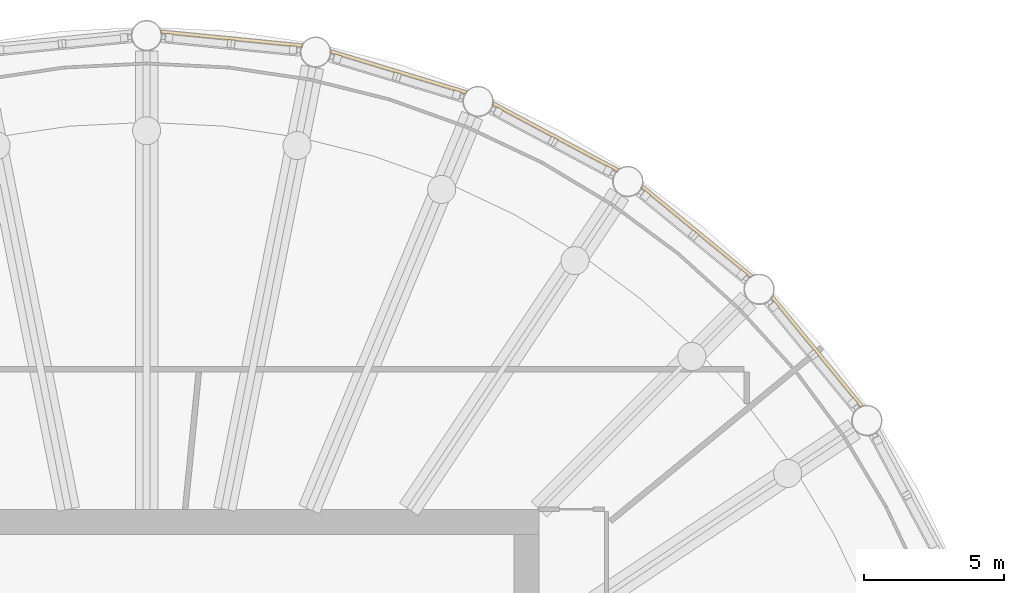
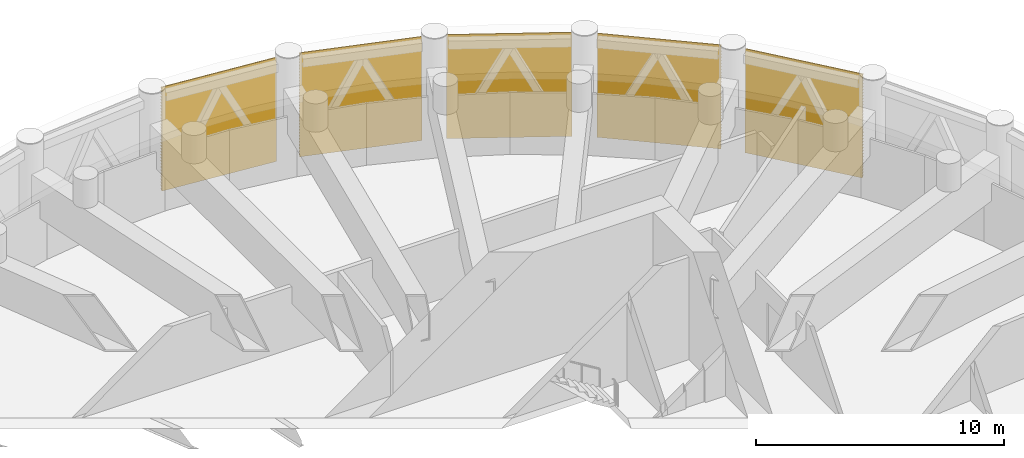
# One storey, part 23 of 23: 5 shading devices, 5 elements without a shape of their own.
"""IFC4 building model written with IfcOpenShell, lengths in metres."""

from ifc_helpers import new_model, si_unit, direction, frame, origin, place, context, subcontext, project, spatial, polyline, outline, extrude, material, material_profile, profile_set, type_object, element, aggregate, save


model = new_model("IFC4")

# Units and contexts
model_context = context("Model", 3, precision=1e-05, world=origin(), true_north=direction((0.0, 1.0)))
body_context = subcontext(model_context, "Body", "Model", "MODEL_VIEW")
ifc_project = project(units=[si_unit("LENGTHUNIT", "METRE"), si_unit("AREAUNIT", "SQUARE_METRE"), si_unit("VOLUMEUNIT", "CUBIC_METRE"), si_unit("PLANEANGLEUNIT", "RADIAN"), si_unit("MASSUNIT", "GRAM", prefix="KILO")], contexts=[model_context])

# Site, building, storey
site_placement = place(None, origin())
site = spatial("IfcSite", under=ifc_project, at=site_placement, CompositionType="ELEMENT")
building_placement = place(site_placement, origin())
building = spatial("IfcBuilding", under=site, at=building_placement, Name="Corvane Civic Tower", CompositionType="ELEMENT")
storey_placement = place(building_placement, frame((0.0, 0.0, 196.0)))
storey = spatial("IfcBuildingStorey", under=building, at=storey_placement, Name="L46", CompositionType="ELEMENT", Elevation=196.0)

# Curtain wall, shading device
ifc_material_1 = material(Name="Anodised aluminium bronze", Category="aluminium")
curtain_wall_type = type_object("IfcCurtainWallType", Name="TOWER CW-LV LOUVRE SCREEN WALL", PredefinedType="NOTDEFINED", material=ifc_material_1)
curtain_wall_1_placement = place(storey_placement, origin())
curtain_wall_1 = element("IfcCurtainWall", 1, at=curtain_wall_1_placement, inside=storey, type_object=curtain_wall_type, Name="Louvre screen wall CW-LV L46 bay 01", PredefinedType="NOTDEFINED")
ifc_material_2 = material(Name="Anodised aluminium bronze", Category="aluminium")
ifc_material_profile = material_profile(ifc_material_2, outline(polyline([(-0.06005859375, -2.56494140625), (-0.0400390625, -2.56494140625), (0.06005859375, -2.492919921875), (0.06005859375, -2.472900390625), (-0.0400390625, -2.544921875), (-0.0400390625, -2.4140625), (0.06005859375, -2.342041015625), (0.06005859375, -2.322021484375), (-0.0400390625, -2.39404296875), (-0.0400390625, -2.26318359375), (0.06005859375, -2.191162109375), (0.06005859375, -2.171142578125), (-0.0400390625, -2.2431640625), (-0.0400390625, -2.1123046875), (0.06005859375, -2.040283203125), (0.06005859375, -2.0205078125), (-0.0400390625, -2.09228515625), (-0.0400390625, -1.96142578125), (0.06005859375, -1.889404296875), (0.06005859375, -1.869384765625), (-0.0400390625, -1.94140625), (-0.0400390625, -1.810546875), (0.06005859375, -1.738525390625), (0.06005859375, -1.718505859375), (-0.0400390625, -1.79052734375), (-0.0400390625, -1.65966796875), (0.06005859375, -1.587646484375), (0.06005859375, -1.567626953125), (-0.0400390625, -1.6396484375), (-0.0400390625, -1.5087890625), (0.06005859375, -1.436767578125), (0.06005859375, -1.416748046875), (-0.0400390625, -1.48876953125), (-0.0400390625, -1.35791015625), (0.06005859375, -1.285888671875), (0.06005859375, -1.265869140625), (-0.0400390625, -1.337890625), (-0.0400390625, -1.20703125), (0.06005859375, -1.135009765625), (0.06005859375, -1.114990234375), (-0.0400390625, -1.18701171875), (-0.0400390625, -1.05615234375), (0.06005859375, -0.984130859375), (0.06005859375, -0.964111328125), (-0.0400390625, -1.0361328125), (-0.0400390625, -0.9052734375), (0.06005859375, -0.833251953125), (0.06005859375, -0.813232421875), (-0.0400390625, -0.88525390625), (-0.0400390625, -0.75439453125), (0.06005859375, -0.682373046875), (0.06005859375, -0.662353515625), (-0.0400390625, -0.734375), (-0.0400390625, -0.603515625), (0.06005859375, -0.531494140625), (0.06005859375, -0.511474609375), (-0.0400390625, -0.58349609375), (-0.0400390625, -0.45263671875), (0.06005859375, -0.380615234375), (0.06005859375, -0.360595703125), (-0.0400390625, -0.4326171875), (-0.0400390625, -0.3017578125), (0.06005859375, -0.229736328125), (0.06005859375, -0.209716796875), (-0.0400390625, -0.28173828125), (-0.0400390625, -0.15087890625), (0.06005859375, -0.078857421875), (0.06005859375, -0.058837890625), (-0.0400390625, -0.130859375), (-0.0400390625, 0.0), (0.06005859375, 0.072021484375), (0.06005859375, 0.092041015625), (-0.0400390625, 0.02001953125), (-0.0400390625, 0.15087890625), (0.06005859375, 0.222900390625), (0.06005859375, 0.242919921875), (-0.0400390625, 0.1708984375), (-0.0400390625, 0.3017578125), (0.06005859375, 0.373779296875), (0.06005859375, 0.393798828125), (-0.0400390625, 0.32177734375), (-0.0400390625, 0.45263671875), (0.06005859375, 0.524658203125), (0.06005859375, 0.544677734375), (-0.0400390625, 0.47265625), (-0.0400390625, 0.603515625), (0.06005859375, 0.675537109375), (0.06005859375, 0.695556640625), (-0.0400390625, 0.62353515625), (-0.0400390625, 0.75439453125), (0.06005859375, 0.826416015625), (0.06005859375, 0.846435546875), (-0.0400390625, 0.7744140625), (-0.0400390625, 0.9052734375), (0.06005859375, 0.977294921875), (0.06005859375, 0.997314453125), (-0.0400390625, 0.92529296875), (-0.0400390625, 1.05615234375), (0.06005859375, 1.128173828125), (0.06005859375, 1.148193359375), (-0.0400390625, 1.076171875), (-0.0400390625, 1.20703125), (0.06005859375, 1.279052734375), (0.06005859375, 1.299072265625), (-0.0400390625, 1.22705078125), (-0.0400390625, 1.35791015625), (0.06005859375, 1.429931640625), (0.06005859375, 1.449951171875), (-0.0400390625, 1.3779296875), (-0.0400390625, 1.5087890625), (0.06005859375, 1.580810546875), (0.06005859375, 1.600830078125), (-0.0400390625, 1.52880859375), (-0.0400390625, 1.65966796875), (0.06005859375, 1.731689453125), (0.06005859375, 1.751708984375), (-0.0400390625, 1.6796875), (-0.0400390625, 1.810546875), (0.06005859375, 1.882568359375), (0.06005859375, 1.902587890625), (-0.0400390625, 1.83056640625), (-0.0400390625, 1.96142578125), (0.06005859375, 2.033447265625), (0.06005859375, 2.053466796875), (-0.0400390625, 1.9814453125), (-0.0400390625, 2.1123046875), (0.06005859375, 2.184326171875), (0.06005859375, 2.204345703125), (-0.0400390625, 2.13232421875), (-0.0400390625, 2.26318359375), (0.06005859375, 2.335205078125), (0.06005859375, 2.355224609375), (-0.0400390625, 2.283203125), (-0.0400390625, 2.4140625), (0.06005859375, 2.486083984375), (0.06005859375, 2.506103515625), (-0.0400390625, 2.43408203125), (-0.0400390625, 2.56494140625), (-0.06005859375, 2.56494140625), (-0.06005859375, -2.56494140625)])), Name="TOWER LOUVRE BANK 5130 BRONZE")
ifc_profile_set = profile_set([ifc_material_profile], Name="Anodised aluminium bronze")
shading_device_type = type_object("IfcShadingDeviceType", Name="TOWER LOUVRE BANK 5130 BRONZE", PredefinedType="USERDEFINED", material=ifc_profile_set)
shading_device_1_placement = place(storey_placement, frame((0.505126953125, 31.0302734375, 2.68505859375), z_axis=(0.995187423416, -0.097989755963, 0.0), x_axis=(0.097989755963, 0.995187423416, 0.0)))
shading_device_1 = element("IfcShadingDevice", 2, at=shading_device_1_placement, type_object=shading_device_type, Name="Louvre bank L46 01.1", ObjectType="LOUVRE", PredefinedType="USERDEFINED", context=body_context, shape_type="SweptSolid", body=[
    extrude(outline(polyline([(-0.06005859375, -2.56494140625), (-0.0400390625, -2.56494140625), (0.06005859375, -2.492919921875), (0.06005859375, -2.472900390625), (-0.0400390625, -2.544921875), (-0.0400390625, -2.4140625), (0.06005859375, -2.342041015625), (0.06005859375, -2.322021484375), (-0.0400390625, -2.39404296875), (-0.0400390625, -2.26318359375), (0.06005859375, -2.191162109375), (0.06005859375, -2.171142578125), (-0.0400390625, -2.2431640625), (-0.0400390625, -2.1123046875), (0.06005859375, -2.040283203125), (0.06005859375, -2.0205078125), (-0.0400390625, -2.09228515625), (-0.0400390625, -1.96142578125), (0.06005859375, -1.889404296875), (0.06005859375, -1.869384765625), (-0.0400390625, -1.94140625), (-0.0400390625, -1.810546875), (0.06005859375, -1.738525390625), (0.06005859375, -1.718505859375), (-0.0400390625, -1.79052734375), (-0.0400390625, -1.65966796875), (0.06005859375, -1.587646484375), (0.06005859375, -1.567626953125), (-0.0400390625, -1.6396484375), (-0.0400390625, -1.5087890625), (0.06005859375, -1.436767578125), (0.06005859375, -1.416748046875), (-0.0400390625, -1.48876953125), (-0.0400390625, -1.35791015625), (0.06005859375, -1.285888671875), (0.06005859375, -1.265869140625), (-0.0400390625, -1.337890625), (-0.0400390625, -1.20703125), (0.06005859375, -1.135009765625), (0.06005859375, -1.114990234375), (-0.0400390625, -1.18701171875), (-0.0400390625, -1.05615234375), (0.06005859375, -0.984130859375), (0.06005859375, -0.964111328125), (-0.0400390625, -1.0361328125), (-0.0400390625, -0.9052734375), (0.06005859375, -0.833251953125), (0.06005859375, -0.813232421875), (-0.0400390625, -0.88525390625), (-0.0400390625, -0.75439453125), (0.06005859375, -0.682373046875), (0.06005859375, -0.662353515625), (-0.0400390625, -0.734375), (-0.0400390625, -0.603515625), (0.06005859375, -0.531494140625), (0.06005859375, -0.511474609375), (-0.0400390625, -0.58349609375), (-0.0400390625, -0.45263671875), (0.06005859375, -0.380615234375), (0.06005859375, -0.360595703125), (-0.0400390625, -0.4326171875), (-0.0400390625, -0.3017578125), (0.06005859375, -0.229736328125), (0.06005859375, -0.209716796875), (-0.0400390625, -0.28173828125), (-0.0400390625, -0.15087890625), (0.06005859375, -0.078857421875), (0.06005859375, -0.058837890625), (-0.0400390625, -0.130859375), (-0.0400390625, 0.0), (0.06005859375, 0.072021484375), (0.06005859375, 0.092041015625), (-0.0400390625, 0.02001953125), (-0.0400390625, 0.15087890625), (0.06005859375, 0.222900390625), (0.06005859375, 0.242919921875), (-0.0400390625, 0.1708984375), (-0.0400390625, 0.3017578125), (0.06005859375, 0.373779296875), (0.06005859375, 0.393798828125), (-0.0400390625, 0.32177734375), (-0.0400390625, 0.45263671875), (0.06005859375, 0.524658203125), (0.06005859375, 0.544677734375), (-0.0400390625, 0.47265625), (-0.0400390625, 0.603515625), (0.06005859375, 0.675537109375), (0.06005859375, 0.695556640625), (-0.0400390625, 0.62353515625), (-0.0400390625, 0.75439453125), (0.06005859375, 0.826416015625), (0.06005859375, 0.846435546875), (-0.0400390625, 0.7744140625), (-0.0400390625, 0.9052734375), (0.06005859375, 0.977294921875), (0.06005859375, 0.997314453125), (-0.0400390625, 0.92529296875), (-0.0400390625, 1.05615234375), (0.06005859375, 1.128173828125), (0.06005859375, 1.148193359375), (-0.0400390625, 1.076171875), (-0.0400390625, 1.20703125), (0.06005859375, 1.279052734375), (0.06005859375, 1.299072265625), (-0.0400390625, 1.22705078125), (-0.0400390625, 1.35791015625), (0.06005859375, 1.429931640625), (0.06005859375, 1.449951171875), (-0.0400390625, 1.3779296875), (-0.0400390625, 1.5087890625), (0.06005859375, 1.580810546875), (0.06005859375, 1.600830078125), (-0.0400390625, 1.52880859375), (-0.0400390625, 1.65966796875), (0.06005859375, 1.731689453125), (0.06005859375, 1.751708984375), (-0.0400390625, 1.6796875), (-0.0400390625, 1.810546875), (0.06005859375, 1.882568359375), (0.06005859375, 1.902587890625), (-0.0400390625, 1.83056640625), (-0.0400390625, 1.96142578125), (0.06005859375, 2.033447265625), (0.06005859375, 2.053466796875), (-0.0400390625, 1.9814453125), (-0.0400390625, 2.1123046875), (0.06005859375, 2.184326171875), (0.06005859375, 2.204345703125), (-0.0400390625, 2.13232421875), (-0.0400390625, 2.26318359375), (0.06005859375, 2.335205078125), (0.06005859375, 2.355224609375), (-0.0400390625, 2.283203125), (-0.0400390625, 2.4140625), (0.06005859375, 2.486083984375), (0.06005859375, 2.506103515625), (-0.0400390625, 2.43408203125), (-0.0400390625, 2.56494140625), (-0.06005859375, 2.56494140625), (-0.06005859375, -2.56494140625)])), origin(), (0.0, 0.0, 1.0), 5.07763671875),
])
aggregate(curtain_wall_1, [shading_device_1])

curtain_wall_2_placement = place(storey_placement, origin())
curtain_wall_2 = element("IfcCurtainWall", 3, at=curtain_wall_2_placement, inside=storey, type_object=curtain_wall_type, Name="Louvre screen wall CW-LV L46 bay 02", PredefinedType="NOTDEFINED")
shading_device_2_placement = place(storey_placement, frame((6.54931640625, 30.33544921875, 2.68505859375), z_axis=(0.956939031389, -0.290288977061, 0.0), x_axis=(0.290288977061, 0.956939031389, 0.0)))
shading_device_2 = element("IfcShadingDevice", 4, at=shading_device_2_placement, type_object=shading_device_type, Name="Louvre bank L46 02.1", ObjectType="LOUVRE", PredefinedType="USERDEFINED", context=body_context, shape_type="SweptSolid", body=[
    extrude(outline(polyline([(-0.06005859375, -2.56494140625), (-0.0400390625, -2.56494140625), (0.06005859375, -2.492919921875), (0.06005859375, -2.472900390625), (-0.0400390625, -2.544921875), (-0.0400390625, -2.4140625), (0.06005859375, -2.342041015625), (0.06005859375, -2.322021484375), (-0.0400390625, -2.39404296875), (-0.0400390625, -2.26318359375), (0.06005859375, -2.191162109375), (0.06005859375, -2.171142578125), (-0.0400390625, -2.2431640625), (-0.0400390625, -2.1123046875), (0.06005859375, -2.040283203125), (0.06005859375, -2.0205078125), (-0.0400390625, -2.09228515625), (-0.0400390625, -1.96142578125), (0.06005859375, -1.889404296875), (0.06005859375, -1.869384765625), (-0.0400390625, -1.94140625), (-0.0400390625, -1.810546875), (0.06005859375, -1.738525390625), (0.06005859375, -1.718505859375), (-0.0400390625, -1.79052734375), (-0.0400390625, -1.65966796875), (0.06005859375, -1.587646484375), (0.06005859375, -1.567626953125), (-0.0400390625, -1.6396484375), (-0.0400390625, -1.5087890625), (0.06005859375, -1.436767578125), (0.06005859375, -1.416748046875), (-0.0400390625, -1.48876953125), (-0.0400390625, -1.35791015625), (0.06005859375, -1.285888671875), (0.06005859375, -1.265869140625), (-0.0400390625, -1.337890625), (-0.0400390625, -1.20703125), (0.06005859375, -1.135009765625), (0.06005859375, -1.114990234375), (-0.0400390625, -1.18701171875), (-0.0400390625, -1.05615234375), (0.06005859375, -0.984130859375), (0.06005859375, -0.964111328125), (-0.0400390625, -1.0361328125), (-0.0400390625, -0.9052734375), (0.06005859375, -0.833251953125), (0.06005859375, -0.813232421875), (-0.0400390625, -0.88525390625), (-0.0400390625, -0.75439453125), (0.06005859375, -0.682373046875), (0.06005859375, -0.662353515625), (-0.0400390625, -0.734375), (-0.0400390625, -0.603515625), (0.06005859375, -0.531494140625), (0.06005859375, -0.511474609375), (-0.0400390625, -0.58349609375), (-0.0400390625, -0.45263671875), (0.06005859375, -0.380615234375), (0.06005859375, -0.360595703125), (-0.0400390625, -0.4326171875), (-0.0400390625, -0.3017578125), (0.06005859375, -0.229736328125), (0.06005859375, -0.209716796875), (-0.0400390625, -0.28173828125), (-0.0400390625, -0.15087890625), (0.06005859375, -0.078857421875), (0.06005859375, -0.058837890625), (-0.0400390625, -0.130859375), (-0.0400390625, 0.0), (0.06005859375, 0.072021484375), (0.06005859375, 0.092041015625), (-0.0400390625, 0.02001953125), (-0.0400390625, 0.15087890625), (0.06005859375, 0.222900390625), (0.06005859375, 0.242919921875), (-0.0400390625, 0.1708984375), (-0.0400390625, 0.3017578125), (0.06005859375, 0.373779296875), (0.06005859375, 0.393798828125), (-0.0400390625, 0.32177734375), (-0.0400390625, 0.45263671875), (0.06005859375, 0.524658203125), (0.06005859375, 0.544677734375), (-0.0400390625, 0.47265625), (-0.0400390625, 0.603515625), (0.06005859375, 0.675537109375), (0.06005859375, 0.695556640625), (-0.0400390625, 0.62353515625), (-0.0400390625, 0.75439453125), (0.06005859375, 0.826416015625), (0.06005859375, 0.846435546875), (-0.0400390625, 0.7744140625), (-0.0400390625, 0.9052734375), (0.06005859375, 0.977294921875), (0.06005859375, 0.997314453125), (-0.0400390625, 0.92529296875), (-0.0400390625, 1.05615234375), (0.06005859375, 1.128173828125), (0.06005859375, 1.148193359375), (-0.0400390625, 1.076171875), (-0.0400390625, 1.20703125), (0.06005859375, 1.279052734375), (0.06005859375, 1.299072265625), (-0.0400390625, 1.22705078125), (-0.0400390625, 1.35791015625), (0.06005859375, 1.429931640625), (0.06005859375, 1.449951171875), (-0.0400390625, 1.3779296875), (-0.0400390625, 1.5087890625), (0.06005859375, 1.580810546875), (0.06005859375, 1.600830078125), (-0.0400390625, 1.52880859375), (-0.0400390625, 1.65966796875), (0.06005859375, 1.731689453125), (0.06005859375, 1.751708984375), (-0.0400390625, 1.6796875), (-0.0400390625, 1.810546875), (0.06005859375, 1.882568359375), (0.06005859375, 1.902587890625), (-0.0400390625, 1.83056640625), (-0.0400390625, 1.96142578125), (0.06005859375, 2.033447265625), (0.06005859375, 2.053466796875), (-0.0400390625, 1.9814453125), (-0.0400390625, 2.1123046875), (0.06005859375, 2.184326171875), (0.06005859375, 2.204345703125), (-0.0400390625, 2.13232421875), (-0.0400390625, 2.26318359375), (0.06005859375, 2.335205078125), (0.06005859375, 2.355224609375), (-0.0400390625, 2.283203125), (-0.0400390625, 2.4140625), (0.06005859375, 2.486083984375), (0.06005859375, 2.506103515625), (-0.0400390625, 2.43408203125), (-0.0400390625, 2.56494140625), (-0.06005859375, 2.56494140625), (-0.06005859375, -2.56494140625)])), origin(), (0.0, 0.0, 1.0), 5.077392578125),
])
aggregate(curtain_wall_2, [shading_device_2])

curtain_wall_3_placement = place(storey_placement, origin())
curtain_wall_3 = element("IfcCurtainWall", 5, at=curtain_wall_3_placement, inside=storey, type_object=curtain_wall_type, Name="Louvre screen wall CW-LV L46 bay 03", PredefinedType="NOTDEFINED")
shading_device_3_placement = place(storey_placement, frame((12.341552734375, 28.474853515625, 2.68505859375), z_axis=(0.881921329426, -0.471396615074, 0.0), x_axis=(0.471396615074, 0.881921329426, 0.0)))
shading_device_3 = element("IfcShadingDevice", 6, at=shading_device_3_placement, type_object=shading_device_type, Name="Louvre bank L46 03.1", ObjectType="LOUVRE", PredefinedType="USERDEFINED", context=body_context, shape_type="SweptSolid", body=[
    extrude(outline(polyline([(-0.06005859375, -2.56494140625), (-0.0400390625, -2.56494140625), (0.06005859375, -2.492919921875), (0.06005859375, -2.472900390625), (-0.0400390625, -2.544921875), (-0.0400390625, -2.4140625), (0.06005859375, -2.342041015625), (0.06005859375, -2.322021484375), (-0.0400390625, -2.39404296875), (-0.0400390625, -2.26318359375), (0.06005859375, -2.191162109375), (0.06005859375, -2.171142578125), (-0.0400390625, -2.2431640625), (-0.0400390625, -2.1123046875), (0.06005859375, -2.040283203125), (0.06005859375, -2.0205078125), (-0.0400390625, -2.09228515625), (-0.0400390625, -1.96142578125), (0.06005859375, -1.889404296875), (0.06005859375, -1.869384765625), (-0.0400390625, -1.94140625), (-0.0400390625, -1.810546875), (0.06005859375, -1.738525390625), (0.06005859375, -1.718505859375), (-0.0400390625, -1.79052734375), (-0.0400390625, -1.65966796875), (0.06005859375, -1.587646484375), (0.06005859375, -1.567626953125), (-0.0400390625, -1.6396484375), (-0.0400390625, -1.5087890625), (0.06005859375, -1.436767578125), (0.06005859375, -1.416748046875), (-0.0400390625, -1.48876953125), (-0.0400390625, -1.35791015625), (0.06005859375, -1.285888671875), (0.06005859375, -1.265869140625), (-0.0400390625, -1.337890625), (-0.0400390625, -1.20703125), (0.06005859375, -1.135009765625), (0.06005859375, -1.114990234375), (-0.0400390625, -1.18701171875), (-0.0400390625, -1.05615234375), (0.06005859375, -0.984130859375), (0.06005859375, -0.964111328125), (-0.0400390625, -1.0361328125), (-0.0400390625, -0.9052734375), (0.06005859375, -0.833251953125), (0.06005859375, -0.813232421875), (-0.0400390625, -0.88525390625), (-0.0400390625, -0.75439453125), (0.06005859375, -0.682373046875), (0.06005859375, -0.662353515625), (-0.0400390625, -0.734375), (-0.0400390625, -0.603515625), (0.06005859375, -0.531494140625), (0.06005859375, -0.511474609375), (-0.0400390625, -0.58349609375), (-0.0400390625, -0.45263671875), (0.06005859375, -0.380615234375), (0.06005859375, -0.360595703125), (-0.0400390625, -0.4326171875), (-0.0400390625, -0.3017578125), (0.06005859375, -0.229736328125), (0.06005859375, -0.209716796875), (-0.0400390625, -0.28173828125), (-0.0400390625, -0.15087890625), (0.06005859375, -0.078857421875), (0.06005859375, -0.058837890625), (-0.0400390625, -0.130859375), (-0.0400390625, 0.0), (0.06005859375, 0.072021484375), (0.06005859375, 0.092041015625), (-0.0400390625, 0.02001953125), (-0.0400390625, 0.15087890625), (0.06005859375, 0.222900390625), (0.06005859375, 0.242919921875), (-0.0400390625, 0.1708984375), (-0.0400390625, 0.3017578125), (0.06005859375, 0.373779296875), (0.06005859375, 0.393798828125), (-0.0400390625, 0.32177734375), (-0.0400390625, 0.45263671875), (0.06005859375, 0.524658203125), (0.06005859375, 0.544677734375), (-0.0400390625, 0.47265625), (-0.0400390625, 0.603515625), (0.06005859375, 0.675537109375), (0.06005859375, 0.695556640625), (-0.0400390625, 0.62353515625), (-0.0400390625, 0.75439453125), (0.06005859375, 0.826416015625), (0.06005859375, 0.846435546875), (-0.0400390625, 0.7744140625), (-0.0400390625, 0.9052734375), (0.06005859375, 0.977294921875), (0.06005859375, 0.997314453125), (-0.0400390625, 0.92529296875), (-0.0400390625, 1.05615234375), (0.06005859375, 1.128173828125), (0.06005859375, 1.148193359375), (-0.0400390625, 1.076171875), (-0.0400390625, 1.20703125), (0.06005859375, 1.279052734375), (0.06005859375, 1.299072265625), (-0.0400390625, 1.22705078125), (-0.0400390625, 1.35791015625), (0.06005859375, 1.429931640625), (0.06005859375, 1.449951171875), (-0.0400390625, 1.3779296875), (-0.0400390625, 1.5087890625), (0.06005859375, 1.580810546875), (0.06005859375, 1.600830078125), (-0.0400390625, 1.52880859375), (-0.0400390625, 1.65966796875), (0.06005859375, 1.731689453125), (0.06005859375, 1.751708984375), (-0.0400390625, 1.6796875), (-0.0400390625, 1.810546875), (0.06005859375, 1.882568359375), (0.06005859375, 1.902587890625), (-0.0400390625, 1.83056640625), (-0.0400390625, 1.96142578125), (0.06005859375, 2.033447265625), (0.06005859375, 2.053466796875), (-0.0400390625, 1.9814453125), (-0.0400390625, 2.1123046875), (0.06005859375, 2.184326171875), (0.06005859375, 2.204345703125), (-0.0400390625, 2.13232421875), (-0.0400390625, 2.26318359375), (0.06005859375, 2.335205078125), (0.06005859375, 2.355224609375), (-0.0400390625, 2.283203125), (-0.0400390625, 2.4140625), (0.06005859375, 2.486083984375), (0.06005859375, 2.506103515625), (-0.0400390625, 2.43408203125), (-0.0400390625, 2.56494140625), (-0.06005859375, 2.56494140625), (-0.06005859375, -2.56494140625)])), origin(), (0.0, 0.0, 1.0), 5.07763671875),
])
aggregate(curtain_wall_3, [shading_device_3])

curtain_wall_4_placement = place(storey_placement, origin())
curtain_wall_4 = element("IfcCurtainWall", 7, at=curtain_wall_4_placement, inside=storey, type_object=curtain_wall_type, Name="Louvre screen wall CW-LV L46 bay 04", PredefinedType="NOTDEFINED")
shading_device_4_placement = place(storey_placement, frame((17.65966796875, 25.519775390625, 2.68505859375), z_axis=(0.773015929719, -0.634386611146, 0.0), x_axis=(0.634386611146, 0.773015929719, 0.0)))
shading_device_4 = element("IfcShadingDevice", 8, at=shading_device_4_placement, type_object=shading_device_type, Name="Louvre bank L46 04.1", ObjectType="LOUVRE", PredefinedType="USERDEFINED", context=body_context, shape_type="SweptSolid", body=[
    extrude(outline(polyline([(-0.06005859375, -2.56494140625), (-0.0400390625, -2.56494140625), (0.06005859375, -2.492919921875), (0.06005859375, -2.472900390625), (-0.0400390625, -2.544921875), (-0.0400390625, -2.4140625), (0.06005859375, -2.342041015625), (0.06005859375, -2.322021484375), (-0.0400390625, -2.39404296875), (-0.0400390625, -2.26318359375), (0.06005859375, -2.191162109375), (0.06005859375, -2.171142578125), (-0.0400390625, -2.2431640625), (-0.0400390625, -2.1123046875), (0.06005859375, -2.040283203125), (0.06005859375, -2.0205078125), (-0.0400390625, -2.09228515625), (-0.0400390625, -1.96142578125), (0.06005859375, -1.889404296875), (0.06005859375, -1.869384765625), (-0.0400390625, -1.94140625), (-0.0400390625, -1.810546875), (0.06005859375, -1.738525390625), (0.06005859375, -1.718505859375), (-0.0400390625, -1.79052734375), (-0.0400390625, -1.65966796875), (0.06005859375, -1.587646484375), (0.06005859375, -1.567626953125), (-0.0400390625, -1.6396484375), (-0.0400390625, -1.5087890625), (0.06005859375, -1.436767578125), (0.06005859375, -1.416748046875), (-0.0400390625, -1.48876953125), (-0.0400390625, -1.35791015625), (0.06005859375, -1.285888671875), (0.06005859375, -1.265869140625), (-0.0400390625, -1.337890625), (-0.0400390625, -1.20703125), (0.06005859375, -1.135009765625), (0.06005859375, -1.114990234375), (-0.0400390625, -1.18701171875), (-0.0400390625, -1.05615234375), (0.06005859375, -0.984130859375), (0.06005859375, -0.964111328125), (-0.0400390625, -1.0361328125), (-0.0400390625, -0.9052734375), (0.06005859375, -0.833251953125), (0.06005859375, -0.813232421875), (-0.0400390625, -0.88525390625), (-0.0400390625, -0.75439453125), (0.06005859375, -0.682373046875), (0.06005859375, -0.662353515625), (-0.0400390625, -0.734375), (-0.0400390625, -0.603515625), (0.06005859375, -0.531494140625), (0.06005859375, -0.511474609375), (-0.0400390625, -0.58349609375), (-0.0400390625, -0.45263671875), (0.06005859375, -0.380615234375), (0.06005859375, -0.360595703125), (-0.0400390625, -0.4326171875), (-0.0400390625, -0.3017578125), (0.06005859375, -0.229736328125), (0.06005859375, -0.209716796875), (-0.0400390625, -0.28173828125), (-0.0400390625, -0.15087890625), (0.06005859375, -0.078857421875), (0.06005859375, -0.058837890625), (-0.0400390625, -0.130859375), (-0.0400390625, 0.0), (0.06005859375, 0.072021484375), (0.06005859375, 0.092041015625), (-0.0400390625, 0.02001953125), (-0.0400390625, 0.15087890625), (0.06005859375, 0.222900390625), (0.06005859375, 0.242919921875), (-0.0400390625, 0.1708984375), (-0.0400390625, 0.3017578125), (0.06005859375, 0.373779296875), (0.06005859375, 0.393798828125), (-0.0400390625, 0.32177734375), (-0.0400390625, 0.45263671875), (0.06005859375, 0.524658203125), (0.06005859375, 0.544677734375), (-0.0400390625, 0.47265625), (-0.0400390625, 0.603515625), (0.06005859375, 0.675537109375), (0.06005859375, 0.695556640625), (-0.0400390625, 0.62353515625), (-0.0400390625, 0.75439453125), (0.06005859375, 0.826416015625), (0.06005859375, 0.846435546875), (-0.0400390625, 0.7744140625), (-0.0400390625, 0.9052734375), (0.06005859375, 0.977294921875), (0.06005859375, 0.997314453125), (-0.0400390625, 0.92529296875), (-0.0400390625, 1.05615234375), (0.06005859375, 1.128173828125), (0.06005859375, 1.148193359375), (-0.0400390625, 1.076171875), (-0.0400390625, 1.20703125), (0.06005859375, 1.279052734375), (0.06005859375, 1.299072265625), (-0.0400390625, 1.22705078125), (-0.0400390625, 1.35791015625), (0.06005859375, 1.429931640625), (0.06005859375, 1.449951171875), (-0.0400390625, 1.3779296875), (-0.0400390625, 1.5087890625), (0.06005859375, 1.580810546875), (0.06005859375, 1.600830078125), (-0.0400390625, 1.52880859375), (-0.0400390625, 1.65966796875), (0.06005859375, 1.731689453125), (0.06005859375, 1.751708984375), (-0.0400390625, 1.6796875), (-0.0400390625, 1.810546875), (0.06005859375, 1.882568359375), (0.06005859375, 1.902587890625), (-0.0400390625, 1.83056640625), (-0.0400390625, 1.96142578125), (0.06005859375, 2.033447265625), (0.06005859375, 2.053466796875), (-0.0400390625, 1.9814453125), (-0.0400390625, 2.1123046875), (0.06005859375, 2.184326171875), (0.06005859375, 2.204345703125), (-0.0400390625, 2.13232421875), (-0.0400390625, 2.26318359375), (0.06005859375, 2.335205078125), (0.06005859375, 2.355224609375), (-0.0400390625, 2.283203125), (-0.0400390625, 2.4140625), (0.06005859375, 2.486083984375), (0.06005859375, 2.506103515625), (-0.0400390625, 2.43408203125), (-0.0400390625, 2.56494140625), (-0.06005859375, 2.56494140625), (-0.06005859375, -2.56494140625)])), origin(), (0.0, 0.0, 1.0), 5.0771484375),
])
aggregate(curtain_wall_4, [shading_device_4])

curtain_wall_5_placement = place(storey_placement, origin())
curtain_wall_5 = element("IfcCurtainWall", 9, at=curtain_wall_5_placement, inside=storey, type_object=curtain_wall_type, Name="Louvre screen wall CW-LV L46 bay 05", PredefinedType="NOTDEFINED")
shading_device_5_placement = place(storey_placement, frame((22.298828125, 21.58447265625, 2.68505859375), z_axis=(0.634386611146, -0.773015929719, 0.0), x_axis=(0.773015929719, 0.634386611146, 0.0)))
shading_device_5 = element("IfcShadingDevice", 10, at=shading_device_5_placement, type_object=shading_device_type, Name="Louvre bank L46 05.1", ObjectType="LOUVRE", PredefinedType="USERDEFINED", context=body_context, shape_type="SweptSolid", body=[
    extrude(outline(polyline([(-0.06005859375, -2.56494140625), (-0.0400390625, -2.56494140625), (0.06005859375, -2.492919921875), (0.06005859375, -2.472900390625), (-0.0400390625, -2.544921875), (-0.0400390625, -2.4140625), (0.06005859375, -2.342041015625), (0.06005859375, -2.322021484375), (-0.0400390625, -2.39404296875), (-0.0400390625, -2.26318359375), (0.06005859375, -2.191162109375), (0.06005859375, -2.171142578125), (-0.0400390625, -2.2431640625), (-0.0400390625, -2.1123046875), (0.06005859375, -2.040283203125), (0.06005859375, -2.0205078125), (-0.0400390625, -2.09228515625), (-0.0400390625, -1.96142578125), (0.06005859375, -1.889404296875), (0.06005859375, -1.869384765625), (-0.0400390625, -1.94140625), (-0.0400390625, -1.810546875), (0.06005859375, -1.738525390625), (0.06005859375, -1.718505859375), (-0.0400390625, -1.79052734375), (-0.0400390625, -1.65966796875), (0.06005859375, -1.587646484375), (0.06005859375, -1.567626953125), (-0.0400390625, -1.6396484375), (-0.0400390625, -1.5087890625), (0.06005859375, -1.436767578125), (0.06005859375, -1.416748046875), (-0.0400390625, -1.48876953125), (-0.0400390625, -1.35791015625), (0.06005859375, -1.285888671875), (0.06005859375, -1.265869140625), (-0.0400390625, -1.337890625), (-0.0400390625, -1.20703125), (0.06005859375, -1.135009765625), (0.06005859375, -1.114990234375), (-0.0400390625, -1.18701171875), (-0.0400390625, -1.05615234375), (0.06005859375, -0.984130859375), (0.06005859375, -0.964111328125), (-0.0400390625, -1.0361328125), (-0.0400390625, -0.9052734375), (0.06005859375, -0.833251953125), (0.06005859375, -0.813232421875), (-0.0400390625, -0.88525390625), (-0.0400390625, -0.75439453125), (0.06005859375, -0.682373046875), (0.06005859375, -0.662353515625), (-0.0400390625, -0.734375), (-0.0400390625, -0.603515625), (0.06005859375, -0.531494140625), (0.06005859375, -0.511474609375), (-0.0400390625, -0.58349609375), (-0.0400390625, -0.45263671875), (0.06005859375, -0.380615234375), (0.06005859375, -0.360595703125), (-0.0400390625, -0.4326171875), (-0.0400390625, -0.3017578125), (0.06005859375, -0.229736328125), (0.06005859375, -0.209716796875), (-0.0400390625, -0.28173828125), (-0.0400390625, -0.15087890625), (0.06005859375, -0.078857421875), (0.06005859375, -0.058837890625), (-0.0400390625, -0.130859375), (-0.0400390625, 0.0), (0.06005859375, 0.072021484375), (0.06005859375, 0.092041015625), (-0.0400390625, 0.02001953125), (-0.0400390625, 0.15087890625), (0.06005859375, 0.222900390625), (0.06005859375, 0.242919921875), (-0.0400390625, 0.1708984375), (-0.0400390625, 0.3017578125), (0.06005859375, 0.373779296875), (0.06005859375, 0.393798828125), (-0.0400390625, 0.32177734375), (-0.0400390625, 0.45263671875), (0.06005859375, 0.524658203125), (0.06005859375, 0.544677734375), (-0.0400390625, 0.47265625), (-0.0400390625, 0.603515625), (0.06005859375, 0.675537109375), (0.06005859375, 0.695556640625), (-0.0400390625, 0.62353515625), (-0.0400390625, 0.75439453125), (0.06005859375, 0.826416015625), (0.06005859375, 0.846435546875), (-0.0400390625, 0.7744140625), (-0.0400390625, 0.9052734375), (0.06005859375, 0.977294921875), (0.06005859375, 0.997314453125), (-0.0400390625, 0.92529296875), (-0.0400390625, 1.05615234375), (0.06005859375, 1.128173828125), (0.06005859375, 1.148193359375), (-0.0400390625, 1.076171875), (-0.0400390625, 1.20703125), (0.06005859375, 1.279052734375), (0.06005859375, 1.299072265625), (-0.0400390625, 1.22705078125), (-0.0400390625, 1.35791015625), (0.06005859375, 1.429931640625), (0.06005859375, 1.449951171875), (-0.0400390625, 1.3779296875), (-0.0400390625, 1.5087890625), (0.06005859375, 1.580810546875), (0.06005859375, 1.600830078125), (-0.0400390625, 1.52880859375), (-0.0400390625, 1.65966796875), (0.06005859375, 1.731689453125), (0.06005859375, 1.751708984375), (-0.0400390625, 1.6796875), (-0.0400390625, 1.810546875), (0.06005859375, 1.882568359375), (0.06005859375, 1.902587890625), (-0.0400390625, 1.83056640625), (-0.0400390625, 1.96142578125), (0.06005859375, 2.033447265625), (0.06005859375, 2.053466796875), (-0.0400390625, 1.9814453125), (-0.0400390625, 2.1123046875), (0.06005859375, 2.184326171875), (0.06005859375, 2.204345703125), (-0.0400390625, 2.13232421875), (-0.0400390625, 2.26318359375), (0.06005859375, 2.335205078125), (0.06005859375, 2.355224609375), (-0.0400390625, 2.283203125), (-0.0400390625, 2.4140625), (0.06005859375, 2.486083984375), (0.06005859375, 2.506103515625), (-0.0400390625, 2.43408203125), (-0.0400390625, 2.56494140625), (-0.06005859375, 2.56494140625), (-0.06005859375, -2.56494140625)])), origin(), (0.0, 0.0, 1.0), 5.0771484375),
])
aggregate(curtain_wall_5, [shading_device_5])

save(model, "model.ifc")
